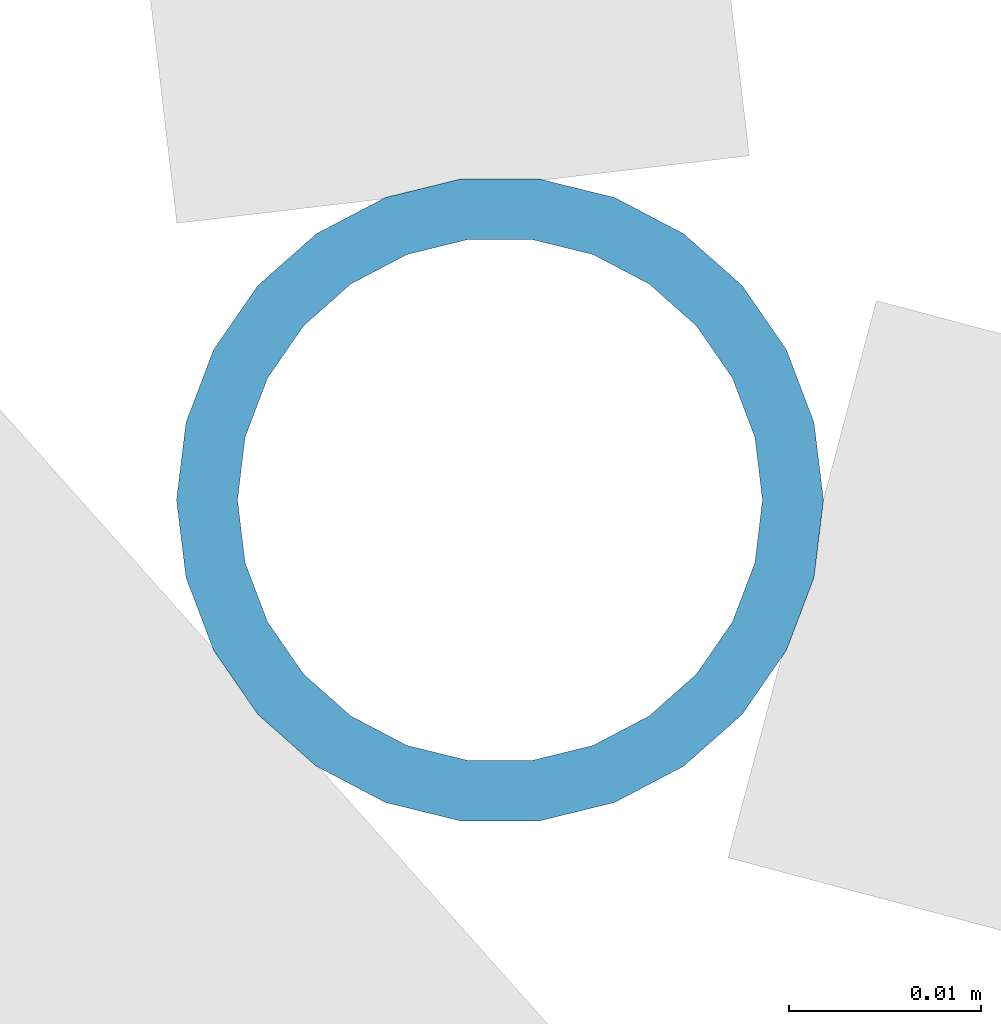
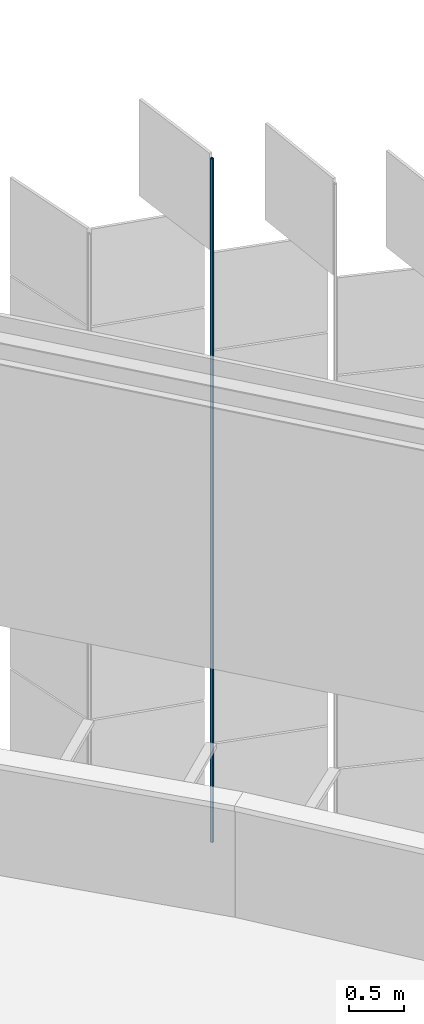
# One storey, part 320 of 483: 1 discrete accessory.
"""IFC4 building model written with IfcOpenShell, lengths in metres."""

from ifc_helpers import new_model, si_unit, direction, frame, origin, origin_2d, place, context, subcontext, project, spatial, hollow_circle, extrude, material, material_profile, profile_set, type_object, element, save


model = new_model("IFC4")

# Units and contexts
model_context = context("Model", 3, precision=1e-05, world=origin(), true_north=direction((0.0, 1.0)))
body_context = subcontext(model_context, "Body", "Model", "MODEL_VIEW")
ifc_project = project(units=[si_unit("LENGTHUNIT", "METRE"), si_unit("AREAUNIT", "SQUARE_METRE"), si_unit("VOLUMEUNIT", "CUBIC_METRE"), si_unit("PLANEANGLEUNIT", "RADIAN"), si_unit("MASSUNIT", "GRAM", prefix="KILO")], contexts=[model_context])

# Site, building, storey
site_placement = place(None, origin())
site = spatial("IfcSite", under=ifc_project, at=site_placement, CompositionType="ELEMENT")
building_placement = place(site_placement, origin())
building = spatial("IfcBuilding", under=site, at=building_placement, Name="Parallax Yard Mobility Hub", CompositionType="ELEMENT")
storey_placement = place(building_placement, frame((0.0, 0.0, 13.199951171875)))
storey = spatial("IfcBuildingStorey", under=building, at=storey_placement, Name="L04", CompositionType="ELEMENT", Elevation=13.199951171875)

# Discrete accessory
ifc_material = material(Name="Steel ASTM A500 Gr C, hot-dip galvanised", Category="steel")
ifc_material_profile = material_profile(ifc_material, hollow_circle(Radius=0.016845703125, WallThickness=0.003173828125, at=origin_2d()), Name="CHS 33.7x3.2")
ifc_profile_set = profile_set([ifc_material_profile], Name="Steel ASTM A500 Gr C, hot-dip galvanised")
discrete_accessory_type = type_object("IfcDiscreteAccessoryType", Name="Hinge post CHS 33.7x3.2", PredefinedType="BRACKET", material=ifc_profile_set)
discrete_accessory_placement = place(storey_placement, frame((212.651123046875, 125.086181640625, 0.0), z_axis=(0.0, 0.0, 1.0), x_axis=(1.0, 0.0, 0.0)))
element("IfcDiscreteAccessory", 1, at=discrete_accessory_placement, inside=storey, type_object=discrete_accessory_type, Name="Hinge post bay 45.5 level L04", PredefinedType="BRACKET", context=body_context, shape_type="SweptSolid", body=[
    extrude(hollow_circle(Radius=0.016845703125, WallThickness=0.003173828125, at=origin_2d()), origin(), (0.0, 0.0, 1.0), 7.650146484375),
])

save(model, "model.ifc")
